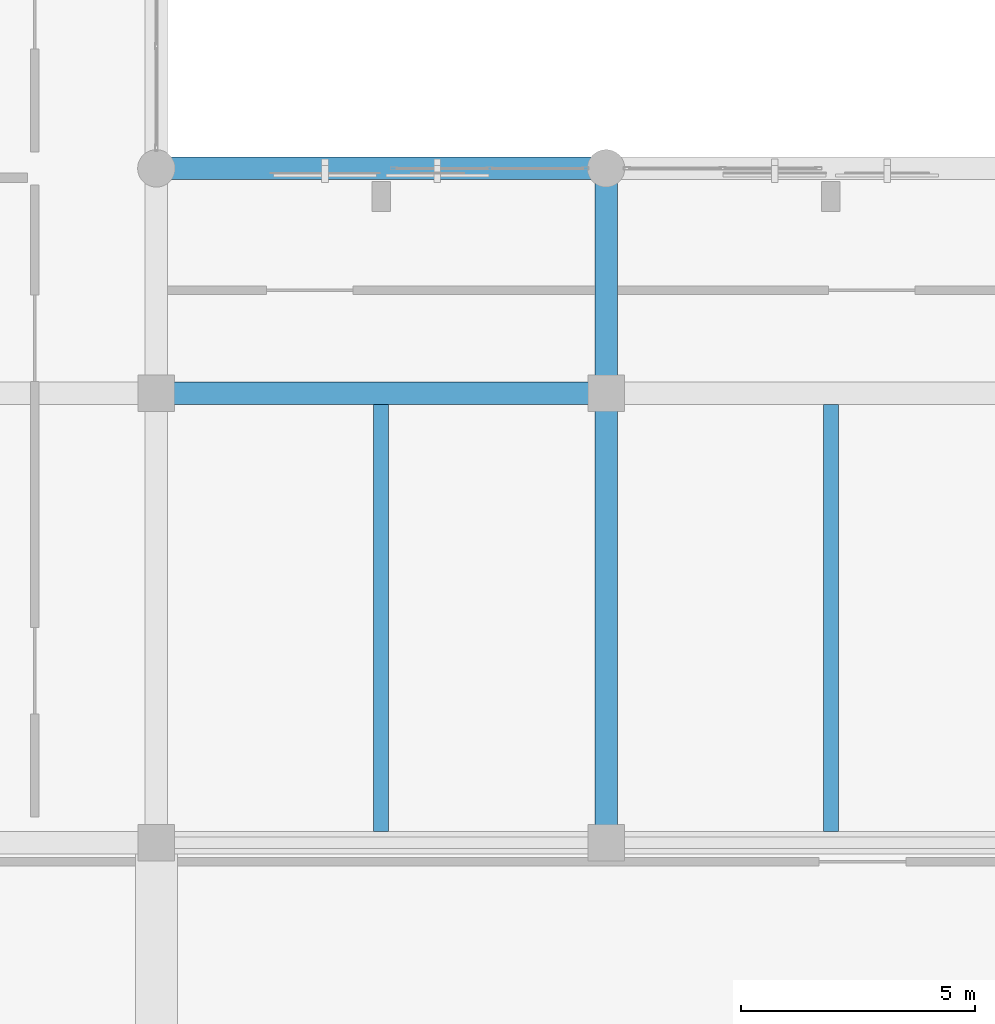
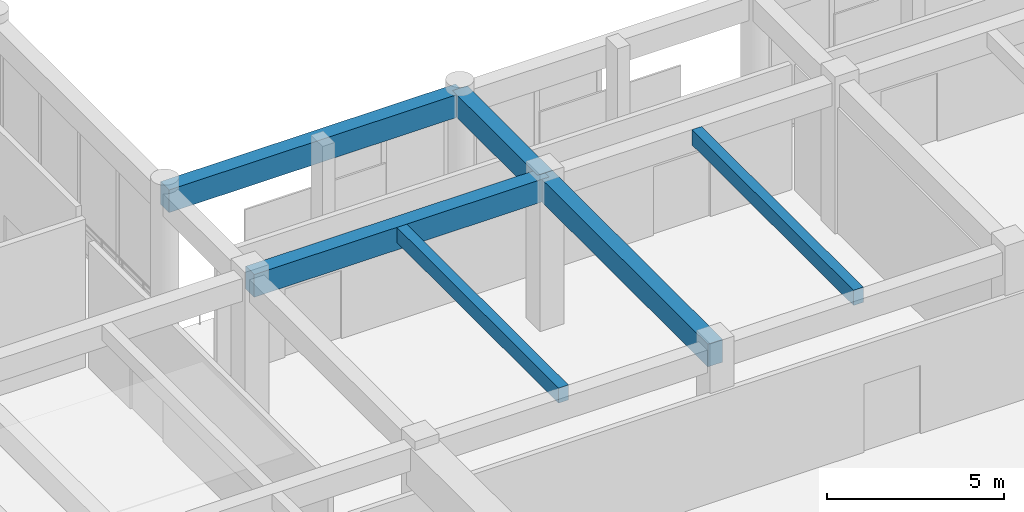
# One storey, part 25 of 134: 6 beams.
"""IFC4 building model written with IfcOpenShell, lengths in metres."""

import ifcopenshell
import ifcopenshell.guid

model = None  # the IFC model being written
_history = None  # IfcOwnerHistory: only IFC2X3 demands one
_inside = {}  # id of a spatial element -> (the spatial element, [elements in it])
_under = {}  # id of a project, library or spatial element -> (it, [spatial elements below it])
_declared = {}  # id of a project -> (the project, [libraries it declares])
_typed = {}  # id of a type object -> (the type object, [elements of that type])
_made_of = {}  # id of a material, layer set ... -> (it, [elements and type objects made of it])


def new_model(schema):
    """Start an empty IFC model of exactly this schema.

    Asked for "IFC4X3", IfcOpenShell would pick the latest addendum, in which some entities
    have other attributes; the version numbers below select the first issue.
    IFC2X3 requires an IfcOwnerHistory on every rooted entity: one is made here for all.
    """
    global model, _history
    if schema == "IFC4X3":
        model = ifcopenshell.file(schema_version=(4, 3, 0, 0))
    else:
        model = ifcopenshell.file(schema=schema)
    _inside.clear()
    _under.clear()
    _declared.clear()
    _typed.clear()
    _made_of.clear()
    _history = None
    if model.schema == "IFC2X3":
        org = make("IfcOrganization", Name="unknown")
        user = make(
            "IfcPersonAndOrganization",
            ThePerson=make("IfcPerson", FamilyName="unknown"),
            TheOrganization=org,
        )
        app = make(
            "IfcApplication",
            ApplicationDeveloper=org,
            Version="unknown",
            ApplicationFullName="unknown",
            ApplicationIdentifier="unknown",
        )
        _history = make(
            "IfcOwnerHistory",
            OwningUser=user,
            OwningApplication=app,
            ChangeAction="ADDED",
            CreationDate=0,
        )
    return model


def make(cls, **values):
    """One entity of the class cls with the attributes given. An attribute that is None is left unset."""
    return model.create_entity(
        cls, **{name: value for name, value in values.items() if value is not None}
    )


def rooted(cls, **values):
    """An entity with a GlobalId (a new one), such as an element, a storey or a relation."""
    return make(cls, GlobalId=ifcopenshell.guid.new(), OwnerHistory=_history, **values)


def si_unit(unit_type, name, prefix=None):
    """IfcSIUnit, for example si_unit("LENGTHUNIT", "METRE", prefix="MILLI")."""
    return make("IfcSIUnit", UnitType=unit_type, Prefix=prefix, Name=name)


def assignment(units):
    """IfcUnitAssignment: the units of a project."""
    return None if units is None else make("IfcUnitAssignment", Units=units)


def point(xyz):
    """IfcCartesianPoint."""
    return None if xyz is None else make("IfcCartesianPoint", Coordinates=xyz)


def direction(xyz):
    """IfcDirection."""
    return None if xyz is None else make("IfcDirection", DirectionRatios=xyz)


def frame(location, z_axis=None, x_axis=None):
    """IfcAxis2Placement3D, a coordinate frame: its origin and axes. An axis left out is left unset."""
    return make(
        "IfcAxis2Placement3D",
        Location=point(location),
        Axis=direction(z_axis),
        RefDirection=direction(x_axis),
    )


def frame_2d(location, x_axis=None):
    """IfcAxis2Placement2D, a coordinate frame in the plane: its origin and x axis."""
    return make(
        "IfcAxis2Placement2D", Location=point(location), RefDirection=direction(x_axis)
    )


def origin():
    """The frame at (0, 0, 0) with its axes left unset."""
    return frame((0.0, 0.0, 0.0))


def origin_2d():
    """The frame at (0, 0) in the plane with its x axis left unset."""
    return frame_2d((0.0, 0.0))


def place(relative_to, where):
    """IfcLocalPlacement: puts the frame where relative to a parent placement (None: the world)."""
    return make(
        "IfcLocalPlacement", PlacementRelTo=relative_to, RelativePlacement=where
    )


def context(
    kind, dimensions, precision=None, world=None, true_north=None, identifier=None
):
    """IfcGeometricRepresentationContext, for example the 3D "Model" context."""
    return make(
        "IfcGeometricRepresentationContext",
        ContextIdentifier=identifier,
        ContextType=kind,
        CoordinateSpaceDimension=dimensions,
        Precision=precision,
        WorldCoordinateSystem=world,
        TrueNorth=true_north,
    )


def subcontext(parent, identifier, kind, view, scale=None):
    """IfcGeometricRepresentationSubContext, for example "Body" below "Model"."""
    return make(
        "IfcGeometricRepresentationSubContext",
        ContextIdentifier=identifier,
        ContextType=kind,
        ParentContext=parent,
        TargetScale=scale,
        TargetView=view,
    )


def project(units=None, contexts=None):
    """IfcProject with its units and contexts."""
    return rooted(
        "IfcProject",
        Name="project",
        RepresentationContexts=contexts,
        UnitsInContext=assignment(units),
    )


def spatial(cls, under=None, at=None, **own):
    """A site, building, storey or space (cls), placed at a placement, below another one or the project."""
    s = rooted(cls, ObjectPlacement=at, **own)
    if under is not None:
        _under.setdefault(under.id(), (under, []))[1].append(s)
    return s


def profile(cls, at=None, kind="AREA", **sizes):
    """A parametric profile (cls). Its sizes go by their IFC names, for example OverallWidth=200.0."""
    return make(cls, ProfileType=kind, Position=at, **sizes)


def rectangle(**sizes):
    """IfcRectangleProfileDef."""
    return profile("IfcRectangleProfileDef", **sizes)


def extrude(swept, where, along, depth):
    """IfcExtrudedAreaSolid: the profile swept, set in the frame where, extruded along a direction by depth."""
    return make(
        "IfcExtrudedAreaSolid",
        SweptArea=swept,
        Position=where,
        ExtrudedDirection=direction(along),
        Depth=depth,
    )


def shape(context_of_items, identifier, shape_type, items):
    """IfcShapeRepresentation: the items that make up one representation, for example the "Body"."""
    return make(
        "IfcShapeRepresentation",
        ContextOfItems=context_of_items,
        RepresentationIdentifier=identifier,
        RepresentationType=shape_type,
        Items=items,
    )


def material(Name=None, Category=None):
    """IfcMaterial."""
    return make("IfcMaterial", Name=Name, Category=Category)


def material_profile(
    of_material, cross_section, Name=None, Category=None, Priority=None
):
    """IfcMaterialProfile: a cross section and its material."""
    return make(
        "IfcMaterialProfile",
        Name=Name,
        Material=of_material,
        Profile=cross_section,
        Priority=Priority,
        Category=Category,
    )


def profile_set(profiles, Name=None, composite=None):
    """IfcMaterialProfileSet."""
    return make(
        "IfcMaterialProfileSet",
        Name=Name,
        MaterialProfiles=profiles,
        CompositeProfile=composite,
    )


def made_of(thing, what):
    """Note that an element or type object is made of a material, layer set ...; save() writes the relation."""
    if what is not None:
        _made_of.setdefault(what.id(), (what, []))[1].append(thing)
    return thing


def type_object(cls, material=None, **own):
    """A type object (cls), such as IfcWallType, which elements share."""
    return made_of(rooted(cls, **own), material)


def element(
    cls,
    number,
    at=None,
    inside=None,
    cuts=None,
    type_object=None,
    material=None,
    context=None,
    identifier="Body",
    shape_type=None,
    held_by="IfcProductDefinitionShape",
    body=None,
    shapes=None,
    **own,
):
    """One element of the class cls, such as IfcWall. Its Tag is "e" and its number.

    at: its placement. inside: the storey or other place that contains it. cuts: it is an
    opening in that element (IfcRelVoidsElement). A single representation is given by context,
    identifier, shape_type and body (its items); several are given by shapes. held_by: the class
    of the entity that holds the representations. save() writes the other relations.
    """
    e = rooted(cls, Tag="e%d" % number, ObjectPlacement=at, **own)
    if body is not None:
        shapes = [shape(context, identifier, shape_type, body)]
    if shapes is not None:
        e.Representation = make(held_by, Representations=shapes)
    if inside is not None:
        _inside.setdefault(inside.id(), (inside, []))[1].append(e)
    if cuts is not None:
        rooted(
            "IfcRelVoidsElement", RelatingBuildingElement=cuts, RelatedOpeningElement=e
        )
    if type_object is not None:
        _typed.setdefault(type_object.id(), (type_object, []))[1].append(e)
    return made_of(e, material)


def aggregate(whole, parts):
    """IfcRelAggregates: a whole, such as a stair, and the parts it consists of."""
    return rooted("IfcRelAggregates", RelatingObject=whole, RelatedObjects=parts)


def save(model, path):
    """Write the relations noted so far, then the file.

    IfcRelAggregates (storeys below a building ...), IfcRelContainedInSpatialStructure (elements
    in a storey), IfcRelDefinesByType, IfcRelAssociatesMaterial and IfcRelDeclares: one each for
    every whole, place, type object, material and project.
    """
    for whole, parts in _under.values():
        aggregate(whole, parts)
    for where, things in _inside.values():
        rooted(
            "IfcRelContainedInSpatialStructure",
            RelatedElements=things,
            RelatingStructure=where,
        )
    for kind, things in _typed.values():
        rooted("IfcRelDefinesByType", RelatedObjects=things, RelatingType=kind)
    for what, things in _made_of.values():
        rooted("IfcRelAssociatesMaterial", RelatedObjects=things, RelatingMaterial=what)
    for by, libraries in _declared.values():
        rooted("IfcRelDeclares", RelatingContext=by, RelatedDefinitions=libraries)
    model.write(path)


model = new_model("IFC4")

# Units and contexts
model_context = context("Model", 3, precision=1e-05, world=origin(), true_north=direction((0.0, 1.0)))
body_context = subcontext(model_context, "Body", "Model", "MODEL_VIEW")
ifc_project = project(units=[si_unit("LENGTHUNIT", "METRE"), si_unit("AREAUNIT", "SQUARE_METRE"), si_unit("VOLUMEUNIT", "CUBIC_METRE"), si_unit("PLANEANGLEUNIT", "RADIAN"), si_unit("MASSUNIT", "GRAM", prefix="KILO")], contexts=[model_context])

# Site, building, storey
site_placement = place(None, origin())
site = spatial("IfcSite", under=ifc_project, at=site_placement, CompositionType="ELEMENT")
building_placement = place(site_placement, origin())
building = spatial("IfcBuilding", under=site, at=building_placement, Name="Nakhvara Creek Congress Hotel", CompositionType="ELEMENT")
storey_placement = place(building_placement, frame((0.0, 0.0, 6.0)))
storey = spatial("IfcBuildingStorey", under=building, at=storey_placement, Name="L01", CompositionType="ELEMENT", Elevation=6.0)

# Beams
ifc_material = material(Name="Concrete C40/50", Category="concrete")
ifc_material_profile_1 = material_profile(ifc_material, rectangle(XDim=0.320068359375, YDim=0.52001953125, at=origin_2d()), Name="RC-BM 320x520", Category="LoadBearing")
ifc_profile_set_1 = profile_set([ifc_material_profile_1], Name="Concrete C40/50")
beam_type_1 = type_object("IfcBeamType", Name="BM-RC-320X520", PredefinedType="JOIST", material=ifc_profile_set_1)
for number, where, z_axis, x_axis, name in (
    (1, (81.60009765625, 29.0400390625, 4.840087890625), (0.0, 1.0, 0.0), (-1.0, 0.0, 0.0), "Secondary Joist BJ2-L01-1367"),
    (2, (91.199951171875, 29.0400390625, 4.840087890625), (0.0, 1.0, 0.0), (-1.0, 0.0, 0.0), "Secondary Joist BJ2-L01-1371"),
):
    element("IfcBeam", number, at=place(storey_placement, frame(where, z_axis=z_axis, x_axis=x_axis)), inside=storey, type_object=beam_type_1, Name=name, PredefinedType="JOIST", context=body_context, shape_type="SweptSolid", body=[
        extrude(rectangle(XDim=0.320068359375, YDim=0.52001953125, at=origin_2d()), origin(), (0.0, 0.0, 1.0), 9.119873046875),
    ])
ifc_material_profile_2 = material_profile(ifc_material, rectangle(XDim=0.47998046875, YDim=0.780029296875, at=origin_2d()), Name="RC-BM 480x780", Category="LoadBearing")
ifc_profile_set_2 = profile_set([ifc_material_profile_2], Name="Concrete C40/50")
beam_type_2 = type_object("IfcBeamType", Name="BM-RC-480X780", PredefinedType="BEAM", material=ifc_profile_set_2)
for number, where, z_axis, x_axis, name in (
    (3, (76.800048828125, 38.39990234375, 4.7099609375), (1.0, 0.0, 0.0), (0.0, 1.0, 0.0), "Beam B13-L01-1153"),
    (4, (76.800048828125, 43.199951171875, 4.7099609375), (1.0, 0.0, 0.0), (0.0, 1.0, 0.0), "Beam B13-L01-1155"),
    (5, (86.39990234375, 28.800048828125, 4.7099609375), (0.0, 1.0, 0.0), (-1.0, 0.0, 0.0), "Beam B13-L01-1167"),
):
    element("IfcBeam", number, at=place(storey_placement, frame(where, z_axis=z_axis, x_axis=x_axis)), inside=storey, type_object=beam_type_2, Name=name, PredefinedType="BEAM", context=body_context, shape_type="SweptSolid", body=[
        extrude(rectangle(XDim=0.47998046875, YDim=0.780029296875, at=origin_2d()), origin(), (0.0, 0.0, 1.0), 9.599853515625),
    ])
beam_placement = place(storey_placement, frame((86.39990234375, 38.39990234375, 4.7099609375), z_axis=(0.0, 1.0, 0.0), x_axis=(-1.0, 0.0, 0.0)))
element("IfcBeam", 6, at=beam_placement, inside=storey, type_object=beam_type_2, Name="Beam B13-L01-1169", PredefinedType="BEAM", context=body_context, shape_type="SweptSolid", body=[
    extrude(rectangle(XDim=0.47998046875, YDim=0.780029296875, at=origin_2d()), origin(), (0.0, 0.0, 1.0), 4.800048828125),
])

save(model, "model.ifc")
